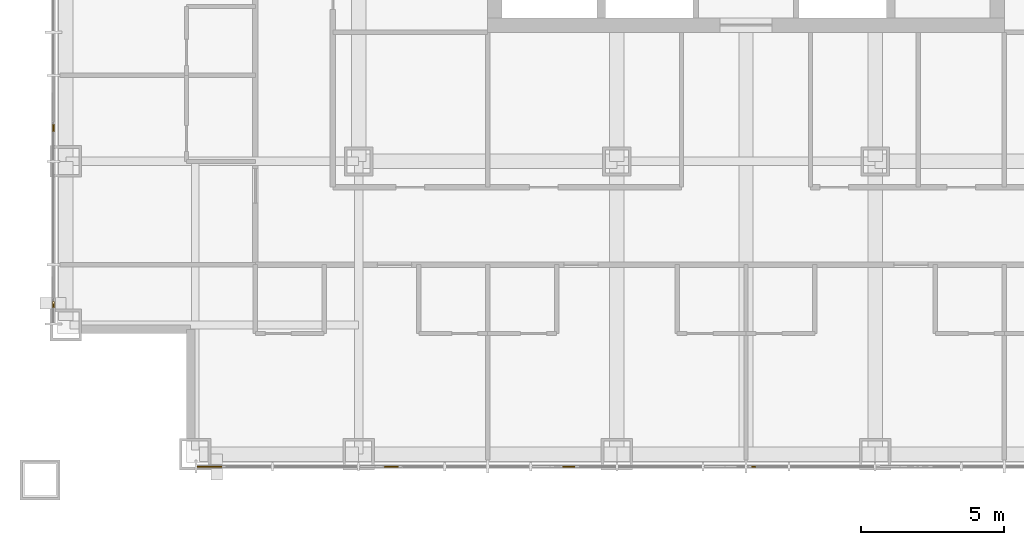
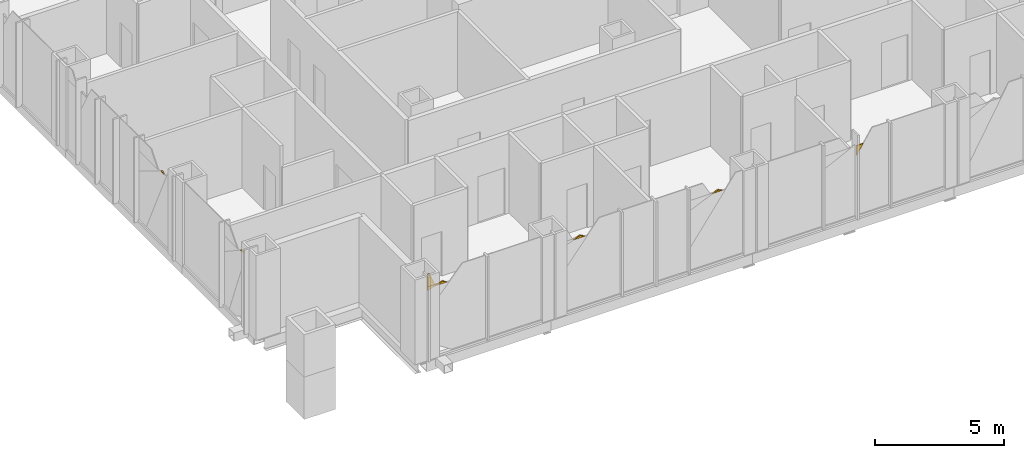
# One storey, part 16 of 23: 8 coverings.
"""IFC4 building model written with IfcOpenShell, lengths in metres."""

import ifcopenshell
import ifcopenshell.guid

model = None  # the IFC model being written
_history = None  # IfcOwnerHistory: only IFC2X3 demands one
_inside = {}  # id of a spatial element -> (the spatial element, [elements in it])
_under = {}  # id of a project, library or spatial element -> (it, [spatial elements below it])
_declared = {}  # id of a project -> (the project, [libraries it declares])
_typed = {}  # id of a type object -> (the type object, [elements of that type])
_made_of = {}  # id of a material, layer set ... -> (it, [elements and type objects made of it])


def new_model(schema):
    """Start an empty IFC model of exactly this schema.

    Asked for "IFC4X3", IfcOpenShell would pick the latest addendum, in which some entities
    have other attributes; the version numbers below select the first issue.
    IFC2X3 requires an IfcOwnerHistory on every rooted entity: one is made here for all.
    """
    global model, _history
    if schema == "IFC4X3":
        model = ifcopenshell.file(schema_version=(4, 3, 0, 0))
    else:
        model = ifcopenshell.file(schema=schema)
    _inside.clear()
    _under.clear()
    _declared.clear()
    _typed.clear()
    _made_of.clear()
    _history = None
    if model.schema == "IFC2X3":
        org = make("IfcOrganization", Name="unknown")
        user = make(
            "IfcPersonAndOrganization",
            ThePerson=make("IfcPerson", FamilyName="unknown"),
            TheOrganization=org,
        )
        app = make(
            "IfcApplication",
            ApplicationDeveloper=org,
            Version="unknown",
            ApplicationFullName="unknown",
            ApplicationIdentifier="unknown",
        )
        _history = make(
            "IfcOwnerHistory",
            OwningUser=user,
            OwningApplication=app,
            ChangeAction="ADDED",
            CreationDate=0,
        )
    return model


def make(cls, **values):
    """One entity of the class cls with the attributes given. An attribute that is None is left unset."""
    return model.create_entity(
        cls, **{name: value for name, value in values.items() if value is not None}
    )


def rooted(cls, **values):
    """An entity with a GlobalId (a new one), such as an element, a storey or a relation."""
    return make(cls, GlobalId=ifcopenshell.guid.new(), OwnerHistory=_history, **values)


def si_unit(unit_type, name, prefix=None):
    """IfcSIUnit, for example si_unit("LENGTHUNIT", "METRE", prefix="MILLI")."""
    return make("IfcSIUnit", UnitType=unit_type, Prefix=prefix, Name=name)


def assignment(units):
    """IfcUnitAssignment: the units of a project."""
    return None if units is None else make("IfcUnitAssignment", Units=units)


def point(xyz):
    """IfcCartesianPoint."""
    return None if xyz is None else make("IfcCartesianPoint", Coordinates=xyz)


def direction(xyz):
    """IfcDirection."""
    return None if xyz is None else make("IfcDirection", DirectionRatios=xyz)


def frame(location, z_axis=None, x_axis=None):
    """IfcAxis2Placement3D, a coordinate frame: its origin and axes. An axis left out is left unset."""
    return make(
        "IfcAxis2Placement3D",
        Location=point(location),
        Axis=direction(z_axis),
        RefDirection=direction(x_axis),
    )


def origin():
    """The frame at (0, 0, 0) with its axes left unset."""
    return frame((0.0, 0.0, 0.0))


def place(relative_to, where):
    """IfcLocalPlacement: puts the frame where relative to a parent placement (None: the world)."""
    return make(
        "IfcLocalPlacement", PlacementRelTo=relative_to, RelativePlacement=where
    )


def context(
    kind, dimensions, precision=None, world=None, true_north=None, identifier=None
):
    """IfcGeometricRepresentationContext, for example the 3D "Model" context."""
    return make(
        "IfcGeometricRepresentationContext",
        ContextIdentifier=identifier,
        ContextType=kind,
        CoordinateSpaceDimension=dimensions,
        Precision=precision,
        WorldCoordinateSystem=world,
        TrueNorth=true_north,
    )


def subcontext(parent, identifier, kind, view, scale=None):
    """IfcGeometricRepresentationSubContext, for example "Body" below "Model"."""
    return make(
        "IfcGeometricRepresentationSubContext",
        ContextIdentifier=identifier,
        ContextType=kind,
        ParentContext=parent,
        TargetScale=scale,
        TargetView=view,
    )


def project(units=None, contexts=None):
    """IfcProject with its units and contexts."""
    return rooted(
        "IfcProject",
        Name="project",
        RepresentationContexts=contexts,
        UnitsInContext=assignment(units),
    )


def spatial(cls, under=None, at=None, **own):
    """A site, building, storey or space (cls), placed at a placement, below another one or the project."""
    s = rooted(cls, ObjectPlacement=at, **own)
    if under is not None:
        _under.setdefault(under.id(), (under, []))[1].append(s)
    return s


def polyline(points):
    """IfcPolyline through the points."""
    return make("IfcPolyline", Points=[point(p) for p in points])


def outline(outer, holes=None, kind="AREA"):
    """IfcArbitraryClosedProfileDef: a profile drawn as a closed curve; with holes, ...WithVoids."""
    if holes is None:
        return make("IfcArbitraryClosedProfileDef", ProfileType=kind, OuterCurve=outer)
    return make(
        "IfcArbitraryProfileDefWithVoids",
        ProfileType=kind,
        OuterCurve=outer,
        InnerCurves=holes,
    )


def extrude(swept, where, along, depth):
    """IfcExtrudedAreaSolid: the profile swept, set in the frame where, extruded along a direction by depth."""
    return make(
        "IfcExtrudedAreaSolid",
        SweptArea=swept,
        Position=where,
        ExtrudedDirection=direction(along),
        Depth=depth,
    )


def shape(context_of_items, identifier, shape_type, items):
    """IfcShapeRepresentation: the items that make up one representation, for example the "Body"."""
    return make(
        "IfcShapeRepresentation",
        ContextOfItems=context_of_items,
        RepresentationIdentifier=identifier,
        RepresentationType=shape_type,
        Items=items,
    )


def material(Name=None, Category=None):
    """IfcMaterial."""
    return make("IfcMaterial", Name=Name, Category=Category)


def layer(
    of_material, thickness, ventilated=None, Name=None, Category=None, Priority=None
):
    """IfcMaterialLayer: one layer of a wall or slab, of a material (None: an air gap)."""
    return make(
        "IfcMaterialLayer",
        Material=of_material,
        LayerThickness=thickness,
        IsVentilated=ventilated,
        Name=Name,
        Category=Category,
        Priority=Priority,
    )


def layer_set(layers, Name=None):
    """IfcMaterialLayerSet."""
    return make("IfcMaterialLayerSet", MaterialLayers=layers, LayerSetName=Name)


def made_of(thing, what):
    """Note that an element or type object is made of a material, layer set ...; save() writes the relation."""
    if what is not None:
        _made_of.setdefault(what.id(), (what, []))[1].append(thing)
    return thing


def type_object(cls, material=None, **own):
    """A type object (cls), such as IfcWallType, which elements share."""
    return made_of(rooted(cls, **own), material)


def element(
    cls,
    number,
    at=None,
    inside=None,
    cuts=None,
    type_object=None,
    material=None,
    context=None,
    identifier="Body",
    shape_type=None,
    held_by="IfcProductDefinitionShape",
    body=None,
    shapes=None,
    **own,
):
    """One element of the class cls, such as IfcWall. Its Tag is "e" and its number.

    at: its placement. inside: the storey or other place that contains it. cuts: it is an
    opening in that element (IfcRelVoidsElement). A single representation is given by context,
    identifier, shape_type and body (its items); several are given by shapes. held_by: the class
    of the entity that holds the representations. save() writes the other relations.
    """
    e = rooted(cls, Tag="e%d" % number, ObjectPlacement=at, **own)
    if body is not None:
        shapes = [shape(context, identifier, shape_type, body)]
    if shapes is not None:
        e.Representation = make(held_by, Representations=shapes)
    if inside is not None:
        _inside.setdefault(inside.id(), (inside, []))[1].append(e)
    if cuts is not None:
        rooted(
            "IfcRelVoidsElement", RelatingBuildingElement=cuts, RelatedOpeningElement=e
        )
    if type_object is not None:
        _typed.setdefault(type_object.id(), (type_object, []))[1].append(e)
    return made_of(e, material)


def aggregate(whole, parts):
    """IfcRelAggregates: a whole, such as a stair, and the parts it consists of."""
    return rooted("IfcRelAggregates", RelatingObject=whole, RelatedObjects=parts)


def save(model, path):
    """Write the relations noted so far, then the file.

    IfcRelAggregates (storeys below a building ...), IfcRelContainedInSpatialStructure (elements
    in a storey), IfcRelDefinesByType, IfcRelAssociatesMaterial and IfcRelDeclares: one each for
    every whole, place, type object, material and project.
    """
    for whole, parts in _under.values():
        aggregate(whole, parts)
    for where, things in _inside.values():
        rooted(
            "IfcRelContainedInSpatialStructure",
            RelatedElements=things,
            RelatingStructure=where,
        )
    for kind, things in _typed.values():
        rooted("IfcRelDefinesByType", RelatedObjects=things, RelatingType=kind)
    for what, things in _made_of.values():
        rooted("IfcRelAssociatesMaterial", RelatedObjects=things, RelatingMaterial=what)
    for by, libraries in _declared.values():
        rooted("IfcRelDeclares", RelatingContext=by, RelatedDefinitions=libraries)
    model.write(path)


model = new_model("IFC4")

# Units and contexts
model_context = context("Model", 3, precision=1e-05, world=origin(), true_north=direction((0.0, 1.0)))
body_context = subcontext(model_context, "Body", "Model", "MODEL_VIEW")
ifc_project = project(units=[si_unit("LENGTHUNIT", "METRE"), si_unit("AREAUNIT", "SQUARE_METRE"), si_unit("VOLUMEUNIT", "CUBIC_METRE"), si_unit("PLANEANGLEUNIT", "RADIAN"), si_unit("MASSUNIT", "GRAM", prefix="KILO")], contexts=[model_context])

# Site, building, storey
site_placement = place(None, origin())
site = spatial("IfcSite", under=ifc_project, at=site_placement, CompositionType="ELEMENT")
building_placement = place(site_placement, origin())
building = spatial("IfcBuilding", under=site, at=building_placement, Name="Malebo Sky Hospital", CompositionType="ELEMENT")
storey_placement = place(building_placement, frame((0.0, 0.0, 168.0)))
storey = spatial("IfcBuildingStorey", under=building, at=storey_placement, Name="L40", CompositionType="ELEMENT", Elevation=168.0)

# Coverings
ifc_material = material(Name="Anodised aluminium, natural silver insulated infill panel", Category="aluminium")
ifc_layer = layer(ifc_material, 0.0400390625)
ifc_layer_set = layer_set([ifc_layer], Name="BRACE INFILL PANEL 40")
covering_type = type_object("IfcCoveringType", Name="BRACE INFILL PANEL 40", PredefinedType="CLADDING", material=ifc_layer_set)
covering_1_placement = place(storey_placement, frame((35.864990234375, 43.5087890625, 3.413330078125), z_axis=(0.0, 0.0, 1.0), x_axis=(0.0, 1.0, 0.0)))
element("IfcCovering", 1, at=covering_1_placement, inside=storey, type_object=covering_type, Name="Brace infill panel 1.4", PredefinedType="CLADDING", context=body_context, shape_type="SweptSolid", body=[
    extrude(outline(polyline([(-0.100341796875, 0.0), (0.10009765625, 0.0), (0.031982421875, 0.04541015625), (-0.100341796875, 0.0)])), frame((0.0, 0.02001953125, 0.0), z_axis=(0.0, -1.0, 0.0), x_axis=(1.0, 0.0, 0.0)), (0.0, 0.0, 1.0), 0.0400390625),
])
covering_2_placement = place(storey_placement, frame((35.864990234375, 49.665283203125, 3.3974609375), z_axis=(0.0, 0.0, 1.0), x_axis=(0.0, 1.0, 0.0)))
element("IfcCovering", 2, at=covering_2_placement, inside=storey, type_object=covering_type, Name="Brace infill panel 3.4", PredefinedType="CLADDING", context=body_context, shape_type="SweptSolid", body=[
    extrude(outline(polyline([(-0.12841796875, 0.0), (0.12841796875, 0.0), (0.028076171875, 0.060791015625), (-0.12841796875, 0.0)])), frame((0.0, 0.02001953125, 0.0), z_axis=(0.0, -1.0, 0.0), x_axis=(1.0, 0.0, 0.0)), (0.0, 0.0, 1.0), 0.0400390625),
])
covering_3_placement = place(storey_placement, frame((60.18798828125, 37.864990234375, 2.8935546875), z_axis=(0.0, 0.0, 1.0), x_axis=(-1.0, 0.0, 0.0)))
element("IfcCovering", 3, at=covering_3_placement, inside=storey, type_object=covering_type, Name="Brace infill panel 8.1", PredefinedType="CLADDING", context=body_context, shape_type="SweptSolid", body=[
    extrude(outline(polyline([(0.150390625, 0.0), (0.150390625, 0.474365234375), (-0.150390625, 0.474365234375), (0.150390625, 0.0)])), frame((0.0, 0.02001953125, 0.0), z_axis=(0.0, -1.0, 0.0), x_axis=(1.0, 0.0, 0.0)), (0.0, 0.0, 1.0), 0.0400390625),
])
covering_4_placement = place(storey_placement, frame((53.822998046875, 37.864990234375, 3.3544921875), z_axis=(0.0, 0.0, 1.0), x_axis=(-1.0, 0.0, 0.0)))
element("IfcCovering", 4, at=covering_4_placement, inside=storey, type_object=covering_type, Name="Brace infill panel 11.4", PredefinedType="CLADDING", context=body_context, shape_type="SweptSolid", body=[
    extrude(outline(polyline([(-0.212646484375, 0.0), (0.212646484375, 0.0), (-0.023681640625, 0.103515625), (-0.212646484375, 0.0)])), frame((0.0, 0.02001953125, 0.0), z_axis=(0.0, -1.0, 0.0), x_axis=(1.0, 0.0, 0.0)), (0.0, 0.0, 1.0), 0.0400390625),
])
covering_5_placement = place(storey_placement, frame((47.639404296875, 37.864990234375, 3.342041015625), z_axis=(0.0, 0.0, 1.0), x_axis=(-1.0, 0.0, 0.0)))
element("IfcCovering", 5, at=covering_5_placement, inside=storey, type_object=covering_type, Name="Brace infill panel 14.4", PredefinedType="CLADDING", context=body_context, shape_type="SweptSolid", body=[
    extrude(outline(polyline([(-0.245849609375, 0.0), (0.245849609375, 0.0), (-0.053955078125, 0.1162109375), (-0.245849609375, 0.0)])), frame((0.0, 0.02001953125, 0.0), z_axis=(0.0, -1.0, 0.0), x_axis=(1.0, 0.0, 0.0)), (0.0, 0.0, 1.0), 0.0400390625),
])
covering_6_placement = place(storey_placement, frame((41.141845703125, 37.864990234375, 3.231201171875), z_axis=(0.0, 0.0, 1.0), x_axis=(-1.0, 0.0, 0.0)))
element("IfcCovering", 6, at=covering_6_placement, inside=storey, type_object=covering_type, Name="Brace infill panel 16.2", PredefinedType="CLADDING", context=body_context, shape_type="SweptSolid", body=[
    extrude(outline(polyline([(0.2666015625, 0.0), (0.2666015625, 0.18212890625), (-0.2666015625, 0.18212890625), (0.2666015625, 0.0)])), frame((0.0, 0.02001953125, 0.0), z_axis=(0.0, -1.0, 0.0), x_axis=(1.0, 0.0, 0.0)), (0.0, 0.0, 1.0), 0.0400390625),
])
covering_7_placement = place(storey_placement, frame((41.449951171875, 37.864990234375, 3.3310546875), z_axis=(0.0, 0.0, 1.0), x_axis=(-1.0, 0.0, 0.0)))
element("IfcCovering", 7, at=covering_7_placement, inside=storey, type_object=covering_type, Name="Brace infill panel 16.3", PredefinedType="CLADDING", context=body_context, shape_type="SweptSolid", body=[
    extrude(outline(polyline([(-0.283203125, 0.0), (0.283203125, 0.0), (-0.0908203125, 0.127685546875), (-0.283203125, 0.0)])), frame((0.0, 0.02001953125, 0.0), z_axis=(0.0, -1.0, 0.0), x_axis=(1.0, 0.0, 0.0)), (0.0, 0.0, 1.0), 0.0400390625),
])
covering_8_placement = place(storey_placement, frame((41.035400390625, 37.864990234375, 3.413330078125), z_axis=(0.0, 0.0, 1.0), x_axis=(-1.0, 0.0, 0.0)))
element("IfcCovering", 8, at=covering_8_placement, inside=storey, type_object=covering_type, Name="Brace infill panel 16.4", PredefinedType="CLADDING", context=body_context, shape_type="SweptSolid", body=[
    extrude(outline(polyline([(-0.160400390625, 0.0), (0.160400390625, 0.0), (0.160400390625, 0.57666015625), (0.06298828125, 0.57666015625), (-0.160400390625, 0.0)])), frame((0.0, 0.02001953125, 0.0), z_axis=(0.0, -1.0, 0.0), x_axis=(1.0, 0.0, 0.0)), (0.0, 0.0, 1.0), 0.0400390625),
])

save(model, "model.ifc")
